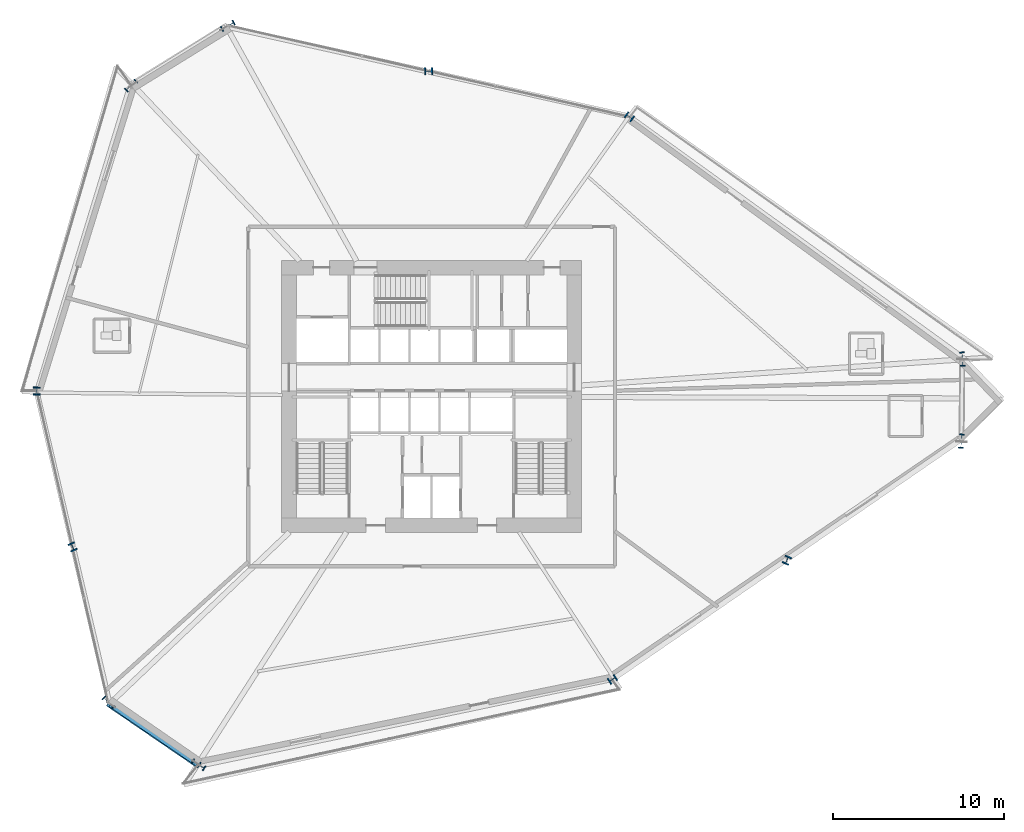
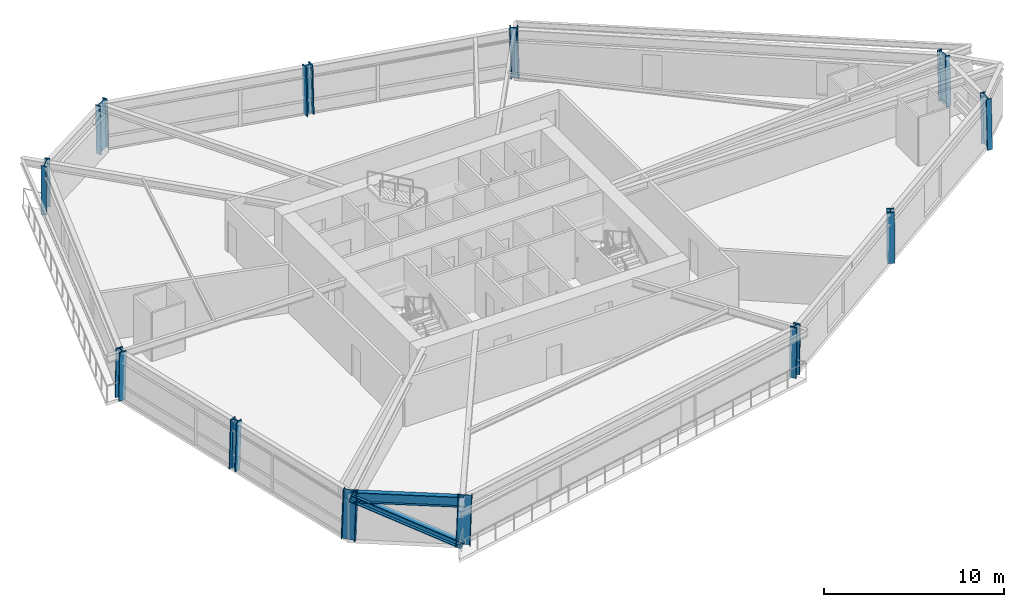
# One storey, part 1 of 23: 12 columns, 1 beam, 1 member.
"""IFC4 building model written with IfcOpenShell, lengths in metres."""

from ifc_helpers import new_model, si_unit, direction, frame, origin, origin_2d, place, context, subcontext, project, spatial, i_section, extrude, source, transform, mapped, material, material_profile, profile_set, type_object, element, save


model = new_model("IFC4")

# Units and contexts
model_context = context("Model", 3, precision=1e-05, world=origin(), true_north=direction((0.0, 1.0)))
body_context = subcontext(model_context, "Body", "Model", "MODEL_VIEW")
ifc_project = project(units=[si_unit("LENGTHUNIT", "METRE"), si_unit("AREAUNIT", "SQUARE_METRE"), si_unit("VOLUMEUNIT", "CUBIC_METRE"), si_unit("PLANEANGLEUNIT", "RADIAN"), si_unit("MASSUNIT", "GRAM", prefix="KILO")], contexts=[model_context])

# Site, building, storey
site_placement = place(None, origin())
site = spatial("IfcSite", under=ifc_project, at=site_placement, CompositionType="ELEMENT")
building_placement = place(site_placement, origin())
building = spatial("IfcBuilding", under=site, at=building_placement, Name="Olszyna Solenne Hotel", CompositionType="ELEMENT")
storey_placement = place(building_placement, frame((0.0, 0.0, 32.85009765625)))
storey = spatial("IfcBuildingStorey", under=building, at=storey_placement, Name="L07", CompositionType="ELEMENT", Elevation=32.85009765625)

# Columns
ifc_material_1 = material(Name="Steel S460M", Category="steel")
ifc_material_profile_1 = material_profile(ifc_material_1, i_section(OverallWidth=0.30810546875, OverallDepth=0.81396484375, WebThickness=0.02099609375, FlangeThickness=0.0400390625, at=origin_2d()), Name="HEM 800", Category="load-bearing")
ifc_profile_set_1 = profile_set([ifc_material_profile_1], Name="Steel S460M")
column_type_1 = type_object("IfcColumnType", Name="COL-K1", PredefinedType="COLUMN", material=ifc_profile_set_1)
shared_shape_1 = source(origin(), body_context, "Body", "SweptSolid", [
    extrude(i_section(OverallWidth=0.30810546875, OverallDepth=0.81396484375, WebThickness=0.02099609375, FlangeThickness=0.0400390625, at=origin_2d()), origin(), (0.0, 0.0, 1.0), 3.3876953125),
])
for number, where, z_axis, x_axis, name in (
    (1, (68.91259765625, 23.97509765625, 0.0), (0.003242996224, 0.039780753678, 0.999203169837), (-0.996693574296, 0.081252193557, 0.0), "Perimeter framed-tube column COL-K1 C-L07-01"),
    (2, (68.97509765625, 28.75927734375, 0.0), (-0.00288265822, 0.039852749888, 0.999201405427), (-0.99739420877, -0.072144246566, 0.0), "Perimeter framed-tube column COL-K1 C-L07-02"),
):
    element("IfcColumn", number, at=place(storey_placement, frame(where, z_axis=z_axis, x_axis=x_axis)), inside=storey, type_object=column_type_1, Name=name, PredefinedType="COLUMN", context=body_context, shape_type="MappedRepresentation", body=[
        mapped(shared_shape_1, transform((0.0, 0.0, 0.0), x_axis=(1.0, 0.0, 0.0), y_axis=(0.0, 1.0, 0.0), z_axis=(0.0, 0.0, 1.0), scale=1.0)),
    ])
ifc_material_profile_2 = material_profile(ifc_material_1, i_section(OverallWidth=0.424072265625, OverallDepth=0.47412109375, WebThickness=0.04296875, FlangeThickness=0.068115234375, at=origin_2d()), Name="HD 400x634", Category="load-bearing")
ifc_profile_set_2 = profile_set([ifc_material_profile_2], Name="Steel S460M")
column_type_2 = type_object("IfcColumnType", Name="COL-T1", PredefinedType="COLUMN", material=ifc_profile_set_2)
shared_shape_2 = source(origin(), body_context, "Body", "SweptSolid", [
    extrude(i_section(OverallWidth=0.424072265625, OverallDepth=0.47412109375, WebThickness=0.04296875, FlangeThickness=0.068115234375, at=origin_2d()), origin(), (0.0, 0.0, 1.0), 3.38623046875),
])
column_1_placement = place(storey_placement, frame((49.5546875, 42.914794921875, 0.0), z_axis=(-0.021053232125, 0.014852622664, 0.999668025405), x_axis=(-0.576463443595, -0.817122939464, 0.0)))
element("IfcColumn", 3, at=column_1_placement, inside=storey, type_object=column_type_2, Name="Perimeter framed-tube column COL-T1 C-L07-03", PredefinedType="COLUMN", context=body_context, shape_type="MappedRepresentation", body=[
    mapped(shared_shape_2, transform((0.0, 0.0, 0.0), x_axis=(1.0, 0.0, 0.0), y_axis=(0.0, 1.0, 0.0), z_axis=(0.0, 0.0, 1.0), scale=1.0)),
])
shared_shape_3 = source(origin(), body_context, "Body", "SweptSolid", [
    extrude(i_section(OverallWidth=0.424072265625, OverallDepth=0.47412109375, WebThickness=0.04296875, FlangeThickness=0.068115234375, at=origin_2d()), origin(), (0.0, 0.0, 1.0), 3.385986328125),
])
for number, where, z_axis, x_axis, name in (
    (4, (37.837646484375, 45.577880859375, 0.0), (-0.024442748167, -0.000288410008, 0.999701189797), (0.011798588722, -0.99993039423, 0.0), "Perimeter framed-tube column COL-T1 C-L07-04"),
    (5, (48.5400390625, 10.08203125, 0.0), (0.021269785384, 0.013699183807, 0.999679913069), (-0.541477579908, 0.840715189857, 0.0), "Perimeter framed-tube column COL-T1 C-L07-11"),
):
    element("IfcColumn", number, at=place(storey_placement, frame(where, z_axis=z_axis, x_axis=x_axis)), inside=storey, type_object=column_type_2, Name=name, PredefinedType="COLUMN", context=body_context, shape_type="MappedRepresentation", body=[
        mapped(shared_shape_3, transform((0.0, 0.0, 0.0), x_axis=(1.0, 0.0, 0.0), y_axis=(0.0, 1.0, 0.0), z_axis=(0.0, 0.0, 1.0), scale=1.0)),
    ])
shared_shape_4 = source(origin(), body_context, "Body", "SweptSolid", [
    extrude(i_section(OverallWidth=0.30810546875, OverallDepth=0.81396484375, WebThickness=0.02099609375, FlangeThickness=0.0400390625, at=origin_2d()), origin(), (0.0, 0.0, 1.0), 3.38671875),
])
for number, where, z_axis, x_axis, name in (
    (6, (26.120361328125, 48.240966796875, 0.0), (-0.027825821323, -0.015354663062, 0.999494851407), (0.483137304639, -0.875544599016, 0.0), "Perimeter framed-tube column COL-K1 C-L07-05"),
    (7, (20.478515625, 44.756103515625, 0.0), (-0.023283783401, -0.02263500925, 0.99947262183), (0.69704669242, -0.717025737744, 0.0), "Perimeter framed-tube column COL-K1 C-L07-06"),
    (8, (24.3857421875, 5.120849609375, 0.0), (0.027680772948, -0.017516739131, 0.99946332532), (0.534737926699, 0.845017958241, 0.0), "Perimeter framed-tube column COL-K1 C-L07-10"),
):
    element("IfcColumn", number, at=place(storey_placement, frame(where, z_axis=z_axis, x_axis=x_axis)), inside=storey, type_object=column_type_1, Name=name, PredefinedType="COLUMN", context=body_context, shape_type="MappedRepresentation", body=[
        mapped(shared_shape_4, transform((0.0, 0.0, 0.0), x_axis=(1.0, 0.0, 0.0), y_axis=(0.0, 1.0, 0.0), z_axis=(0.0, 0.0, 1.0), scale=1.0)),
    ])
shared_shape_5 = source(origin(), body_context, "Body", "SweptSolid", [
    extrude(i_section(OverallWidth=0.424072265625, OverallDepth=0.47412109375, WebThickness=0.04296875, FlangeThickness=0.068115234375, at=origin_2d()), origin(), (0.0, 0.0, 1.0), 3.386474609375),
])
for number, where, z_axis, x_axis, name in (
    (9, (14.95703125, 26.933837890625, 0.0), (-0.000360461137, -0.029701997702, 0.999558733342), (0.999926367828, -0.012135028736, 0.0), "Perimeter framed-tube column COL-T1 C-L07-07"),
    (10, (17.042236328125, 17.8408203125, 0.0), (0.011390717836, -0.026962838421, 0.999571536655), (0.921171089258, 0.389157839847, 0.0), "Perimeter framed-tube column COL-T1 C-L07-08"),
    (11, (58.726318359375, 17.028564453125, 0.0), (0.012255781471, 0.026746440739, 0.999567118171), (-0.909103491218, 0.416570332903, 0.0), "Perimeter framed-tube column COL-T1 C-L07-12"),
):
    element("IfcColumn", number, at=place(storey_placement, frame(where, z_axis=z_axis, x_axis=x_axis)), inside=storey, type_object=column_type_2, Name=name, PredefinedType="COLUMN", context=body_context, shape_type="MappedRepresentation", body=[
        mapped(shared_shape_5, transform((0.0, 0.0, 0.0), x_axis=(1.0, 0.0, 0.0), y_axis=(0.0, 1.0, 0.0), z_axis=(0.0, 0.0, 1.0), scale=1.0)),
    ])
shared_shape_6 = source(origin(), body_context, "Body", "SweptSolid", [
    extrude(i_section(OverallWidth=0.30810546875, OverallDepth=0.81396484375, WebThickness=0.02099609375, FlangeThickness=0.0400390625, at=origin_2d()), origin(), (0.0, 0.0, 1.0), 3.386962890625),
])
column_2_placement = place(storey_placement, frame((19.127685546875, 8.748046875, 0.0), z_axis=(0.023066743612, -0.024292164366, 0.999438750544), x_axis=(0.72516058756, 0.688579786408, 0.0)))
element("IfcColumn", 12, at=column_2_placement, inside=storey, type_object=column_type_1, Name="Perimeter framed-tube column COL-K1 C-L07-09", PredefinedType="COLUMN", context=body_context, shape_type="MappedRepresentation", body=[
    mapped(shared_shape_6, transform((0.0, 0.0, 0.0), x_axis=(1.0, 0.0, 0.0), y_axis=(0.0, 1.0, 0.0), z_axis=(0.0, 0.0, 1.0), scale=1.0)),
])

# Beam
ifc_material_2 = material(Name="Steel S355J2", Category="steel")
ifc_material_profile_3 = material_profile(ifc_material_2, i_section(OverallWidth=0.300048828125, OverallDepth=0.699951171875, WebThickness=0.01708984375, FlangeThickness=0.031982421875, at=origin_2d()), Name="HEB 700", Category="load-bearing")
ifc_profile_set_3 = profile_set([ifc_material_profile_3], Name="Steel S355J2")
beam_type = type_object("IfcBeamType", Name="BM-S1", PredefinedType="BEAM", material=ifc_profile_set_3)
shared_shape_7 = source(origin(), body_context, "Body", "SweptSolid", [
    extrude(i_section(OverallWidth=0.300048828125, OverallDepth=0.699951171875, WebThickness=0.01708984375, FlangeThickness=0.031982421875, at=origin_2d()), origin(), (0.0, 0.0, 1.0), 6.267822265625),
])
beam_placement = place(storey_placement, frame((19.25537109375, 8.6318359375, 2.949951171875), z_axis=(0.825625286748, -0.564218828012, 0.0), x_axis=(0.564218828012, 0.825625286748, 0.0)))
element("IfcBeam", 13, at=beam_placement, inside=storey, type_object=beam_type, Name="Perimeter spandrel beam BM-S1 B-L07-0239", PredefinedType="BEAM", context=body_context, shape_type="MappedRepresentation", body=[
    mapped(shared_shape_7, transform((0.0, 0.0, 0.0), x_axis=(1.0, 0.0, 0.0), y_axis=(0.0, 1.0, 0.0), z_axis=(0.0, 0.0, 1.0), scale=1.0)),
])

# Member
ifc_material_profile_4 = material_profile(ifc_material_1, i_section(OverallWidth=0.412109375, OverallDepth=0.43505859375, WebThickness=0.031494140625, FlangeThickness=0.050048828125, at=origin_2d()), Name="HD 400x463", Category="load-bearing")
ifc_profile_set_4 = profile_set([ifc_material_profile_4], Name="Steel S460M")
member_type = type_object("IfcMemberType", Name="BR-T1", PredefinedType="BRACE", material=ifc_profile_set_4)
shared_shape_8 = source(origin(), body_context, "Body", "SweptSolid", [
    extrude(i_section(OverallWidth=0.412109375, OverallDepth=0.43505859375, WebThickness=0.031494140625, FlangeThickness=0.050048828125, at=origin_2d()), origin(), (0.0, 0.0, 1.0), 6.916259765625),
])
member_placement = place(storey_placement, frame((24.3857421875, 5.120849609375, 0.010009765625), z_axis=(-0.748939736408, 0.512542064035, 0.419987980571), x_axis=(-0.564766180951, -0.825250968405, 0.0)))
element("IfcMember", 14, at=member_placement, inside=storey, type_object=member_type, Name="Perimeter braced-tube diagonal BR-T1 BR-L07-3", PredefinedType="BRACE", context=body_context, shape_type="MappedRepresentation", body=[
    mapped(shared_shape_8, transform((0.0, 0.0, 0.0), x_axis=(1.0, 0.0, 0.0), y_axis=(0.0, 1.0, 0.0), z_axis=(0.0, 0.0, 1.0), scale=1.0)),
])

save(model, "model.ifc")
